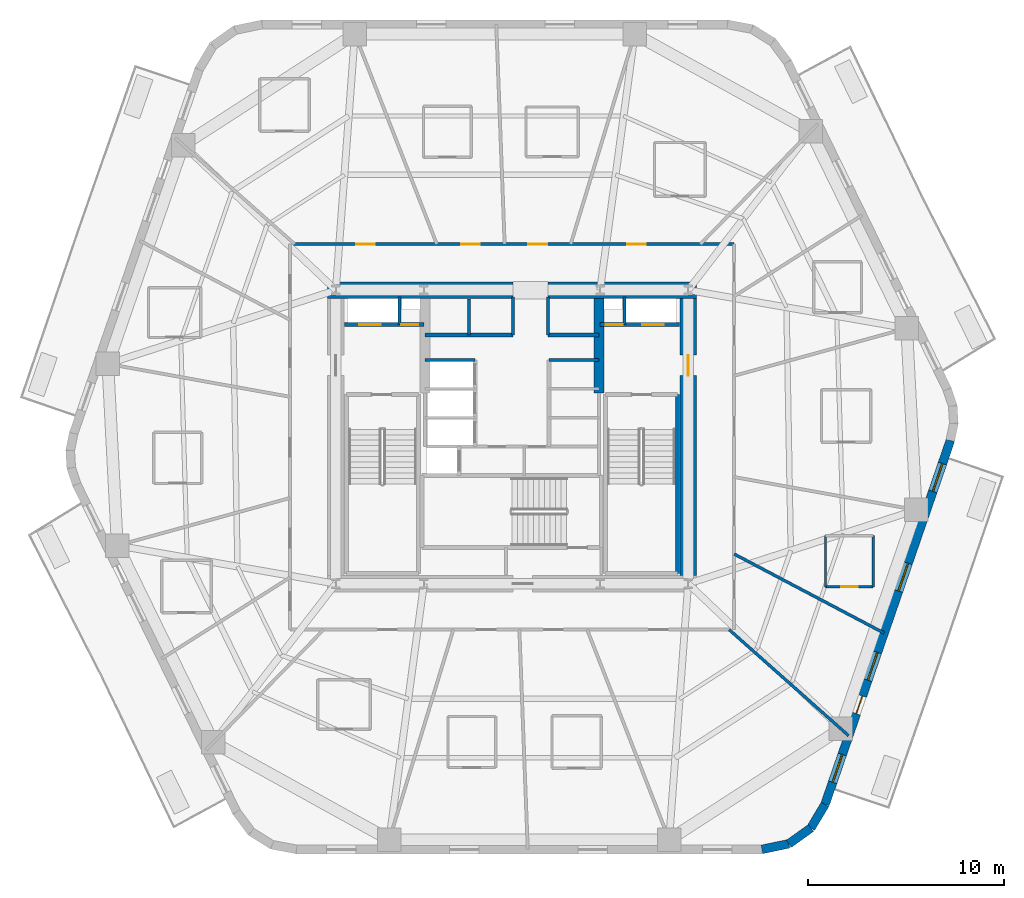
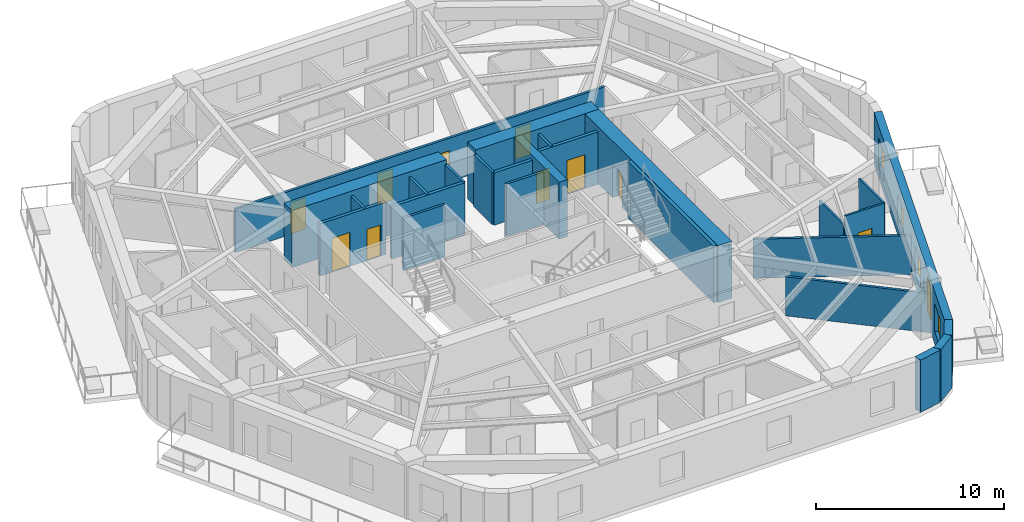
# One storey, part 5 of 10: 26 walls, 11 doors, 4 windows, 15 openings.
"""IFC4 building model written with IfcOpenShell, lengths in metres."""

from ifc_helpers import new_model, si_unit, direction, frame, frame_2d, origin, place, context, subcontext, project, spatial, rectangle, extrude, material, layer, layer_set, type_object, element, fill, save


model = new_model("IFC4")

# Units and contexts
model_context = context("Model", 3, precision=1e-05, world=origin(), true_north=direction((0.0, 1.0)))
body_context = subcontext(model_context, "Body", "Model", "MODEL_VIEW")
ifc_project = project(units=[si_unit("LENGTHUNIT", "METRE"), si_unit("AREAUNIT", "SQUARE_METRE"), si_unit("VOLUMEUNIT", "CUBIC_METRE"), si_unit("PLANEANGLEUNIT", "RADIAN"), si_unit("MASSUNIT", "GRAM", prefix="KILO")], contexts=[model_context])

# Site, building, storey
site_placement = place(None, origin())
site = spatial("IfcSite", under=ifc_project, at=site_placement, CompositionType="ELEMENT")
building_placement = place(site_placement, origin())
building = spatial("IfcBuilding", under=site, at=building_placement, Name="Kilnhurst Terrace Hotel", CompositionType="ELEMENT")
storey_placement = place(building_placement, frame((0.0, 0.0, 117.300048828125)))
storey = spatial("IfcBuildingStorey", under=building, at=storey_placement, Name="L28", CompositionType="ELEMENT", Elevation=117.300048828125)

# Walls
ifc_material_1 = material(Name="Precast concrete C40/50", Category="concrete")
ifc_layer_1 = layer(ifc_material_1, 0.449951171875, Name="Precast concrete C40/50")
ifc_layer_set_1 = layer_set([ifc_layer_1], Name="Precast concrete C40/50")
wall_type_1 = type_object("IfcWallType", Name="WL-BRK-450", PredefinedType="SOLIDWALL", material=ifc_layer_set_1)
wall_1_placement = place(storey_placement, frame((12.7705078125, -21.074951171875, 0.0), z_axis=(0.0, 0.0, 1.0), x_axis=(0.97874281988, 0.205091424819, 0.0)))
element("IfcWall", 1, at=wall_1_placement, inside=storey, type_object=wall_type_1, Name="L28 Rounded Corner Brick Wall C2.1", PredefinedType="SOLIDWALL", context=body_context, shape_type="SweptSolid", body=[
    extrude(rectangle(XDim=1.40576171875, YDim=0.449951171875, at=frame_2d((0.702880859375, 0.0))), origin(), (0.0, 0.0, 1.0), 3.39990234375),
])
wall_2_placement = place(storey_placement, frame((14.146484375, -20.78662109375, 0.0), z_axis=(0.0, 0.0, 1.0), x_axis=(0.814162929117, 0.580636482536, 0.0)))
element("IfcWall", 2, at=wall_2_placement, inside=storey, type_object=wall_type_1, Name="L28 Rounded Corner Brick Wall C2.2", PredefinedType="SOLIDWALL", context=body_context, shape_type="SweptSolid", body=[
    extrude(rectangle(XDim=1.382080078125, YDim=0.449951171875, at=frame_2d((0.69091796875, 0.0))), origin(), (0.0, 0.0, 1.0), 3.39990234375),
])
wall_3_placement = place(storey_placement, frame((15.271728515625, -19.984130859375, 0.0), z_axis=(0.0, 0.0, 1.0), x_axis=(0.512579347361, 0.858639862025, 0.0)))
element("IfcWall", 3, at=wall_3_placement, inside=storey, type_object=wall_type_1, Name="L28 Rounded Corner Brick Wall C2.3", PredefinedType="SOLIDWALL", context=body_context, shape_type="SweptSolid", body=[
    extrude(rectangle(XDim=1.406005859375, YDim=0.449951171875, at=frame_2d((0.703125, 0.0))), origin(), (0.0, 0.0, 1.0), 3.39990234375),
])

# Wall, openings, door, windows
wall_4_placement = place(storey_placement, frame((15.992431640625, -18.77685546875, 0.0), z_axis=(0.0, 0.0, 1.0), x_axis=(0.325606988926, 0.945505202927, 0.0)))
wall_4 = element("IfcWall", 4, at=wall_4_placement, inside=storey, type_object=wall_type_1, Name="L28 Exterior Brick Facade Wall F2", PredefinedType="SOLIDWALL", context=body_context, shape_type="SweptSolid", body=[
    extrude(rectangle(XDim=19.66943359375, YDim=0.449951171875, at=frame_2d((9.834716796875, 0.0))), origin(), (0.0, 0.0, 1.0), 3.39990234375),
])
opening_1_placement = place(wall_4_placement, frame((4.908935546875, 0.0, 0.0)))
opening_1 = element("IfcOpeningElement", 5, at=opening_1_placement, cuts=wall_4, Name="Opening BD-950", PredefinedType="OPENING", context=body_context, shape_type="SweptSolid", body=[
    extrude(rectangle(XDim=0.949951171875, YDim=2.14990234375, at=frame_2d((0.47509765625, 1.074951171875))), frame((0.0, 0.23486328125, 0.0), z_axis=(0.0, -1.0, 0.0), x_axis=(1.0, 0.0, 0.0)), (0.0, 0.0, 1.0), 0.469970703125),
])
opening_2_placement = place(wall_4_placement, frame((1.197021484375, 0.0, 0.800048828125)))
opening_2 = element("IfcOpeningElement", 6, at=opening_2_placement, cuts=wall_4, Name="Opening W-02", PredefinedType="OPENING", context=body_context, shape_type="SweptSolid", body=[
    extrude(rectangle(XDim=1.5, YDim=1.800048828125, at=frame_2d((0.75, 0.89990234375))), frame((0.0, 0.23486328125, 0.0), z_axis=(0.0, -1.0, 0.0), x_axis=(1.0, 0.0, 0.0)), (0.0, 0.0, 1.0), 0.469970703125),
])
opening_3_placement = place(wall_4_placement, frame((6.714111328125, 0.0, 0.800048828125)))
opening_3 = element("IfcOpeningElement", 7, at=opening_3_placement, cuts=wall_4, Name="Opening W-02", PredefinedType="OPENING", context=body_context, shape_type="SweptSolid", body=[
    extrude(rectangle(XDim=1.5, YDim=1.800048828125, at=frame_2d((0.75, 0.89990234375))), frame((0.0, 0.23486328125, 0.0), z_axis=(0.0, -1.0, 0.0), x_axis=(1.0, 0.0, 0.0)), (0.0, 0.0, 1.0), 0.469970703125),
])
opening_4_placement = place(wall_4_placement, frame((11.530029296875, 0.0, 0.800048828125)))
opening_4 = element("IfcOpeningElement", 8, at=opening_4_placement, cuts=wall_4, Name="Opening W-02", PredefinedType="OPENING", context=body_context, shape_type="SweptSolid", body=[
    extrude(rectangle(XDim=1.5, YDim=1.800048828125, at=frame_2d((0.75, 0.89990234375))), frame((0.0, 0.23486328125, 0.0), z_axis=(0.0, -1.0, 0.0), x_axis=(1.0, 0.0, 0.0)), (0.0, 0.0, 1.0), 0.469970703125),
])
opening_5_placement = place(wall_4_placement, frame((16.91796875, 0.0, 0.800048828125)))
opening_5 = element("IfcOpeningElement", 9, at=opening_5_placement, cuts=wall_4, Name="Opening W-02", PredefinedType="OPENING", context=body_context, shape_type="SweptSolid", body=[
    extrude(rectangle(XDim=1.5, YDim=1.800048828125, at=frame_2d((0.75, 0.89990234375))), frame((0.0, 0.23486328125, 0.0), z_axis=(0.0, -1.0, 0.0), x_axis=(1.0, 0.0, 0.0)), (0.0, 0.0, 1.0), 0.469970703125),
])
ifc_material_2 = material(Name="Thermally Broken Bronze Aluminium Alloy 6063-T6 and Laminated Glass", Category="aluminium")
door_type_1 = type_object("IfcDoorType", Name="DR-EXT-BAL-950", OperationType="NOTDEFINED", PredefinedType="DOOR", material=ifc_material_2)
door_1_placement = place(opening_1_placement, origin())
door_1 = element("IfcDoor", 10, at=door_1_placement, inside=storey, type_object=door_type_1, Name="L28 Planted Balcony Door BAL-L1A", OperationType="SINGLE_SWING_RIGHT", OverallHeight=2.14990234375, OverallWidth=0.949951171875, PredefinedType="DOOR", context=body_context, shape_type="SweptSolid", body=[
    extrude(rectangle(XDim=0.949951171875, YDim=2.14990234375, at=frame_2d((0.47509765625, 1.074951171875))), frame((0.0, 0.02490234375, 0.0), z_axis=(0.0, -1.0, 0.0), x_axis=(1.0, 0.0, 0.0)), (0.0, 0.0, 1.0), 0.050048828125),
])
fill(opening_1, door_1)
ifc_material_3 = material(Name="Thermally Broken Bronze Aluminium Alloy 6063-T6 and Low-E Glass", Category="aluminium")
window_type = type_object("IfcWindowType", Name="WIN-1500X1800", PartitioningType="SINGLE_PANEL", PredefinedType="WINDOW", material=ifc_material_3)
window_1_placement = place(opening_2_placement, origin())
window_1 = element("IfcWindow", 11, at=window_1_placement, inside=storey, type_object=window_type, Name="L28 Deep-Set Masonry Window F2.1", OverallHeight=1.800048828125, OverallWidth=1.5, PartitioningType="SINGLE_PANEL", PredefinedType="WINDOW", context=body_context, shape_type="SweptSolid", body=[
    extrude(rectangle(XDim=1.5, YDim=1.800048828125, at=frame_2d((0.75, 0.89990234375))), frame((0.0, 0.030029296875, 0.0), z_axis=(0.0, -1.0, 0.0), x_axis=(1.0, 0.0, 0.0)), (0.0, 0.0, 1.0), 0.06005859375),
])
fill(opening_2, window_1)
window_2_placement = place(opening_3_placement, origin())
window_2 = element("IfcWindow", 12, at=window_2_placement, inside=storey, type_object=window_type, Name="L28 Deep-Set Masonry Window F2.2", OverallHeight=1.800048828125, OverallWidth=1.5, PartitioningType="SINGLE_PANEL", PredefinedType="WINDOW", context=body_context, shape_type="SweptSolid", body=[
    extrude(rectangle(XDim=1.5, YDim=1.800048828125, at=frame_2d((0.75, 0.89990234375))), frame((0.0, 0.030029296875, 0.0), z_axis=(0.0, -1.0, 0.0), x_axis=(1.0, 0.0, 0.0)), (0.0, 0.0, 1.0), 0.06005859375),
])
fill(opening_3, window_2)
window_3_placement = place(opening_4_placement, origin())
window_3 = element("IfcWindow", 13, at=window_3_placement, inside=storey, type_object=window_type, Name="L28 Deep-Set Masonry Window F2.3", OverallHeight=1.800048828125, OverallWidth=1.5, PartitioningType="SINGLE_PANEL", PredefinedType="WINDOW", context=body_context, shape_type="SweptSolid", body=[
    extrude(rectangle(XDim=1.5, YDim=1.800048828125, at=frame_2d((0.75, 0.89990234375))), frame((0.0, 0.030029296875, 0.0), z_axis=(0.0, -1.0, 0.0), x_axis=(1.0, 0.0, 0.0)), (0.0, 0.0, 1.0), 0.06005859375),
])
fill(opening_4, window_3)
window_4_placement = place(opening_5_placement, origin())
window_4 = element("IfcWindow", 14, at=window_4_placement, inside=storey, type_object=window_type, Name="L28 Deep-Set Masonry Window F2.4", OverallHeight=1.800048828125, OverallWidth=1.5, PartitioningType="SINGLE_PANEL", PredefinedType="WINDOW", context=body_context, shape_type="SweptSolid", body=[
    extrude(rectangle(XDim=1.5, YDim=1.800048828125, at=frame_2d((0.75, 0.89990234375))), frame((0.0, 0.030029296875, 0.0), z_axis=(0.0, -1.0, 0.0), x_axis=(1.0, 0.0, 0.0)), (0.0, 0.0, 1.0), 0.06005859375),
])
fill(opening_5, window_4)

# Wall, openings, doors
ifc_material_4 = material(Name="Acoustic Double-Gypsum Corridor Partition Assembly")
ifc_layer_2 = layer(ifc_material_4, 0.14990234375, Name="Acoustic Double-Gypsum Corridor Partition Assembly")
ifc_layer_set_2 = layer_set([ifc_layer_2], Name="Acoustic Double-Gypsum Corridor Partition Assembly")
wall_type_2 = type_object("IfcWallType", Name="WL-COR-150", PredefinedType="PARTITIONING", material=ifc_layer_set_2)
wall_5_placement = place(storey_placement, frame((-11.35009765625, 9.85009765625, 0.0), z_axis=(0.0, 0.0, 1.0), x_axis=(1.0, 0.0, 0.0)))
wall_5 = element("IfcWall", 15, at=wall_5_placement, inside=storey, type_object=wall_type_2, Name="L28 Interior Wall WL-L28-COR-02", PredefinedType="PARTITIONING", context=body_context, shape_type="SweptSolid", body=[
    extrude(rectangle(XDim=22.7001953125, YDim=0.14990234375, at=frame_2d((11.35009765625, 0.0))), origin(), (0.0, 0.0, 1.0), 2.83984375),
])
opening_6_placement = place(wall_5_placement, frame((17.237060546875, 0.0, 0.0)))
opening_6 = element("IfcOpeningElement", 16, at=opening_6_placement, cuts=wall_5, Name="Opening D-60B", PredefinedType="OPENING", context=body_context, shape_type="SweptSolid", body=[
    extrude(rectangle(XDim=0.949951171875, YDim=2.030029296875, at=frame_2d((0.47509765625, 1.01513671875))), frame((0.0, 0.0849609375, 0.0), z_axis=(0.0, -1.0, 0.0), x_axis=(1.0, 0.0, 0.0)), (0.0, 0.0, 1.0), 0.169921875),
])
opening_7_placement = place(wall_5_placement, frame((12.19189453125, 0.0, 0.0)))
opening_7 = element("IfcOpeningElement", 17, at=opening_7_placement, cuts=wall_5, Name="Opening D-60B", PredefinedType="OPENING", context=body_context, shape_type="SweptSolid", body=[
    extrude(rectangle(XDim=0.949951171875, YDim=2.030029296875, at=frame_2d((0.47509765625, 1.01513671875))), frame((0.0, 0.0849609375, 0.0), z_axis=(0.0, -1.0, 0.0), x_axis=(1.0, 0.0, 0.0)), (0.0, 0.0, 1.0), 0.169921875),
])
opening_8_placement = place(wall_5_placement, frame((8.757080078125, 0.0, 0.0)))
opening_8 = element("IfcOpeningElement", 18, at=opening_8_placement, cuts=wall_5, Name="Opening D-60B", PredefinedType="OPENING", context=body_context, shape_type="SweptSolid", body=[
    extrude(rectangle(XDim=0.949951171875, YDim=2.030029296875, at=frame_2d((0.47509765625, 1.01513671875))), frame((0.0, 0.0849609375, 0.0), z_axis=(0.0, -1.0, 0.0), x_axis=(1.0, 0.0, 0.0)), (0.0, 0.0, 1.0), 0.169921875),
])
opening_9_placement = place(wall_5_placement, frame((3.39892578125, 0.0, 0.0)))
opening_9 = element("IfcOpeningElement", 19, at=opening_9_placement, cuts=wall_5, Name="Opening D-60B", PredefinedType="OPENING", context=body_context, shape_type="SweptSolid", body=[
    extrude(rectangle(XDim=0.949951171875, YDim=2.030029296875, at=frame_2d((0.47509765625, 1.01513671875))), frame((0.0, 0.0849609375, 0.0), z_axis=(0.0, -1.0, 0.0), x_axis=(1.0, 0.0, 0.0)), (0.0, 0.0, 1.0), 0.169921875),
])
ifc_material_5 = material(Name="Acoustic Walnut Veneer Solid-Core Fire Door")
door_type_2 = type_object("IfcDoorType", Name="DR-FD60-950", OperationType="NOTDEFINED", PredefinedType="DOOR", material=ifc_material_5)
door_2_placement = place(opening_6_placement, origin())
door_2 = element("IfcDoor", 20, at=door_2_placement, inside=storey, type_object=door_type_2, Name="L28 Executive Suite Entry Door 3", OperationType="SINGLE_SWING_LEFT", OverallHeight=2.030029296875, OverallWidth=0.949951171875, PredefinedType="DOOR", context=body_context, shape_type="SweptSolid", body=[
    extrude(rectangle(XDim=0.949951171875, YDim=2.030029296875, at=frame_2d((0.47509765625, 1.01513671875))), frame((0.0, 0.02490234375, 0.0), z_axis=(0.0, -1.0, 0.0), x_axis=(1.0, 0.0, 0.0)), (0.0, 0.0, 1.0), 0.050048828125),
])
fill(opening_6, door_2)
door_3_placement = place(opening_7_placement, origin())
door_3 = element("IfcDoor", 21, at=door_3_placement, inside=storey, type_object=door_type_2, Name="L28 Guest Room Entry Door 4", OperationType="SINGLE_SWING_RIGHT", OverallHeight=2.030029296875, OverallWidth=0.949951171875, PredefinedType="DOOR", context=body_context, shape_type="SweptSolid", body=[
    extrude(rectangle(XDim=0.949951171875, YDim=2.030029296875, at=frame_2d((0.47509765625, 1.01513671875))), frame((0.0, 0.02490234375, 0.0), z_axis=(0.0, -1.0, 0.0), x_axis=(1.0, 0.0, 0.0)), (0.0, 0.0, 1.0), 0.050048828125),
])
fill(opening_7, door_3)
door_4_placement = place(opening_8_placement, origin())
door_4 = element("IfcDoor", 22, at=door_4_placement, inside=storey, type_object=door_type_2, Name="L28 Guest Room Entry Door 5", OperationType="SINGLE_SWING_LEFT", OverallHeight=2.030029296875, OverallWidth=0.949951171875, PredefinedType="DOOR", context=body_context, shape_type="SweptSolid", body=[
    extrude(rectangle(XDim=0.949951171875, YDim=2.030029296875, at=frame_2d((0.47509765625, 1.01513671875))), frame((0.0, 0.02490234375, 0.0), z_axis=(0.0, -1.0, 0.0), x_axis=(1.0, 0.0, 0.0)), (0.0, 0.0, 1.0), 0.050048828125),
])
fill(opening_8, door_4)
door_5_placement = place(opening_9_placement, origin())
door_5 = element("IfcDoor", 23, at=door_5_placement, inside=storey, type_object=door_type_2, Name="L28 Executive Suite Entry Door 6", OperationType="SINGLE_SWING_RIGHT", OverallHeight=2.030029296875, OverallWidth=0.949951171875, PredefinedType="DOOR", context=body_context, shape_type="SweptSolid", body=[
    extrude(rectangle(XDim=0.949951171875, YDim=2.030029296875, at=frame_2d((0.47509765625, 1.01513671875))), frame((0.0, 0.02490234375, 0.0), z_axis=(0.0, -1.0, 0.0), x_axis=(1.0, 0.0, 0.0)), (0.0, 0.0, 1.0), 0.050048828125),
])
fill(opening_9, door_5)

# Walls
ifc_material_6 = material(Name="Concrete C80/95", Category="concrete")
ifc_layer_3 = layer(ifc_material_6, 0.85009765625, Name="Concrete C80/95")
ifc_layer_set_3 = layer_set([ifc_layer_3], Name="Concrete C80/95")
wall_type_3 = type_object("IfcWallType", Name="WL-CORE-850", PredefinedType="SHEAR", material=ifc_layer_set_3)
wall_6_placement = place(storey_placement, frame((-9.425048828125, 7.5, 0.0), z_axis=(0.0, 0.0, 1.0), x_axis=(1.0, 0.0, 0.0)))
element("IfcWall", 24, at=wall_6_placement, inside=storey, type_object=wall_type_3, Name="L28 Core North West Shear Wall", PredefinedType="SHEAR", context=body_context, shape_type="SweptSolid", body=[
    extrude(rectangle(XDim=9.47509765625, YDim=0.85009765625, at=frame_2d((4.737548828125, 0.0))), origin(), (0.0, 0.0, 1.0), 3.699951171875),
])
wall_7_placement = place(storey_placement, frame((1.85009765625, 7.5, 0.0), z_axis=(0.0, 0.0, 1.0), x_axis=(1.0, 0.0, 0.0)))
element("IfcWall", 25, at=wall_7_placement, inside=storey, type_object=wall_type_3, Name="L28 Core North East Shear Wall", PredefinedType="SHEAR", context=body_context, shape_type="SweptSolid", body=[
    extrude(rectangle(XDim=7.574951171875, YDim=0.85009765625, at=frame_2d((3.78759765625, 0.0))), origin(), (0.0, 0.0, 1.0), 3.699951171875),
])

# Wall, opening, door
wall_8_placement = place(storey_placement, frame((9.0, -7.074951171875, 0.0), z_axis=(0.0, 0.0, 1.0), x_axis=(0.0, 1.0, 0.0)))
wall_8 = element("IfcWall", 26, at=wall_8_placement, inside=storey, type_object=wall_type_3, Name="L28 Core East Shear Wall", PredefinedType="SHEAR", context=body_context, shape_type="SweptSolid", body=[
    extrude(rectangle(XDim=14.14990234375, YDim=0.85009765625, at=frame_2d((7.074951171875, 0.0))), origin(), (0.0, 0.0, 1.0), 3.699951171875),
])
opening_10_placement = place(wall_8_placement, frame((10.199951171875, 0.0, 0.0)))
opening_10 = element("IfcOpeningElement", 27, at=opening_10_placement, cuts=wall_8, Name="Opening D-90A", PredefinedType="OPENING", context=body_context, shape_type="SweptSolid", body=[
    extrude(rectangle(XDim=1.050048828125, YDim=2.14990234375, at=frame_2d((0.52490234375, 1.074951171875))), frame((0.0, 0.43505859375, 0.0), z_axis=(0.0, -1.0, 0.0), x_axis=(1.0, 0.0, 0.0)), (0.0, 0.0, 1.0), 0.8701171875),
])
ifc_material_7 = material(Name="Painted Hollow Metal Steel ASTM A36 Fire Door", Category="steel")
door_type_3 = type_object("IfcDoorType", Name="DR-FD90-1050", OperationType="NOTDEFINED", PredefinedType="DOOR", material=ifc_material_7)
door_6_placement = place(opening_10_placement, origin())
door_6 = element("IfcDoor", 28, at=door_6_placement, inside=storey, type_object=door_type_3, Name="L28 East Firefighting Lobby Door", OperationType="SINGLE_SWING_LEFT", OverallHeight=2.14990234375, OverallWidth=1.050048828125, PredefinedType="DOOR", context=body_context, shape_type="SweptSolid", body=[
    extrude(rectangle(XDim=1.050048828125, YDim=2.14990234375, at=frame_2d((0.52490234375, 1.074951171875))), frame((0.0, 0.02490234375, 0.0), z_axis=(0.0, -1.0, 0.0), x_axis=(1.0, 0.0, 0.0)), (0.0, 0.0, 1.0), 0.050048828125),
])
fill(opening_10, door_6)

# Walls
ifc_material_8 = material(Name="Concrete C60/75", Category="concrete")
ifc_layer_4 = layer(ifc_material_8, 0.5, Name="Concrete C60/75")
ifc_layer_set_4 = layer_set([ifc_layer_4], Name="Concrete C60/75")
wall_type_4 = type_object("IfcWallType", Name="WL-CORE-WEB-500", PredefinedType="SHEAR", material=ifc_layer_set_4)
wall_9_placement = place(storey_placement, frame((4.449951171875, 2.25, 0.0), z_axis=(0.0, 0.0, 1.0), x_axis=(0.0, 1.0, 0.0)))
element("IfcWall", 29, at=wall_9_placement, inside=storey, type_object=wall_type_4, Name="L28 Core Internal East Shear Web", PredefinedType="SHEAR", context=body_context, shape_type="SweptSolid", body=[
    extrude(rectangle(XDim=4.824951171875, YDim=0.5, at=frame_2d((2.41259765625, 0.0))), origin(), (0.0, 0.0, 1.0), 3.699951171875),
])
ifc_material_9 = material(Name="STC-58 Acoustic Twin-Frame Guestroom Demising Partition")
ifc_layer_5 = layer(ifc_material_9, 0.14990234375, Name="STC-58 Acoustic Twin-Frame Guestroom Demising Partition")
ifc_layer_set_5 = layer_set([ifc_layer_5], Name="STC-58 Acoustic Twin-Frame Guestroom Demising Partition")
wall_type_5 = type_object("IfcWallType", Name="WL-DEM-150", PredefinedType="PARTITIONING", material=ifc_layer_set_5)
wall_10_placement = place(storey_placement, frame((11.097900390625, -9.85009765625, 0.0), z_axis=(0.0, 0.0, 1.0), x_axis=(0.747904295103, -0.663806572253, 0.0)))
element("IfcWall", 30, at=wall_10_placement, inside=storey, type_object=wall_type_5, Name="L28 Interior Wall WL-L28-DEM-COL11-16-1", PredefinedType="PARTITIONING", context=body_context, shape_type="SweptSolid", body=[
    extrude(rectangle(XDim=8.160400390625, YDim=0.14990234375, at=frame_2d((4.080078125, 0.0))), origin(), (0.0, 0.0, 1.0), 2.5400390625),
])
wall_11_placement = place(storey_placement, frame((11.35009765625, -5.9833984375, 0.0), z_axis=(0.0, 0.0, 1.0), x_axis=(0.884597447182, -0.466355397137, 0.0)))
element("IfcWall", 31, at=wall_11_placement, inside=storey, type_object=wall_type_5, Name="L28 Interior Wall WL-L28-DEM-MID11-17-1", PredefinedType="PARTITIONING", context=body_context, shape_type="SweptSolid", body=[
    extrude(rectangle(XDim=8.65673828125, YDim=0.14990234375, at=frame_2d((4.328369140625, 0.0))), origin(), (0.0, 0.0, 1.0), 2.5400390625),
])

# Wall, opening, door
ifc_material_10 = material(Name="120 mm Moisture-Resistant Tile-Backed Bathroom Partition")
ifc_layer_6 = layer(ifc_material_10, 0.1201171875, Name="120 mm Moisture-Resistant Tile-Backed Bathroom Partition")
ifc_layer_set_6 = layer_set([ifc_layer_6], Name="120 mm Moisture-Resistant Tile-Backed Bathroom Partition")
wall_type_6 = type_object("IfcWallType", Name="WL-PART-120", PredefinedType="PARTITIONING", material=ifc_layer_set_6)
wall_12_placement = place(storey_placement, frame((16.014892578125, -7.656005859375, 0.0), z_axis=(0.0, 0.0, 1.0), x_axis=(1.0, 0.0, 0.0)))
wall_12 = element("IfcWall", 32, at=wall_12_placement, inside=storey, type_object=wall_type_6, Name="L28 Interior Wall WL-L28-BTH-17-1", PredefinedType="PARTITIONING", context=body_context, shape_type="SweptSolid", body=[
    extrude(rectangle(XDim=2.440185546875, YDim=0.1201171875, at=frame_2d((1.22021484375, 0.0))), origin(), (0.0, 0.0, 1.0), 3.39990234375),
])
opening_11_placement = place(wall_12_placement, frame((0.794921875, 0.0, 0.0)))
opening_11 = element("IfcOpeningElement", 33, at=opening_11_placement, cuts=wall_12, Name="Opening D-08A", PredefinedType="OPENING", context=body_context, shape_type="SweptSolid", body=[
    extrude(rectangle(XDim=0.85009765625, YDim=2.030029296875, at=frame_2d((0.425048828125, 1.01513671875))), frame((0.0, 0.070068359375, 0.0), z_axis=(0.0, -1.0, 0.0), x_axis=(1.0, 0.0, 0.0)), (0.0, 0.0, 1.0), 0.14013671875),
])
ifc_material_11 = material(Name="Moisture-Resistant Lacquered En-suite Bathroom Door")
door_type_4 = type_object("IfcDoorType", Name="DR-INT-850", OperationType="NOTDEFINED", PredefinedType="DOOR", material=ifc_material_11)
door_7_placement = place(opening_11_placement, origin())
door_7 = element("IfcDoor", 34, at=door_7_placement, inside=storey, type_object=door_type_4, Name="L28 En-suite Bathroom Door 17", OperationType="SINGLE_SWING_RIGHT", OverallHeight=2.030029296875, OverallWidth=0.85009765625, PredefinedType="DOOR", context=body_context, shape_type="SweptSolid", body=[
    extrude(rectangle(XDim=0.85009765625, YDim=2.030029296875, at=frame_2d((0.425048828125, 1.01513671875))), frame((0.0, 0.02490234375, 0.0), z_axis=(0.0, -1.0, 0.0), x_axis=(1.0, 0.0, 0.0)), (0.0, 0.0, 1.0), 0.050048828125),
])
fill(opening_11, door_7)

# Walls
wall_13_placement = place(storey_placement, frame((18.455078125, -7.656005859375, 0.0), z_axis=(0.0, 0.0, 1.0), x_axis=(0.0, 1.0, 0.0)))
element("IfcWall", 35, at=wall_13_placement, inside=storey, type_object=wall_type_6, Name="L28 Interior Wall WL-L28-BTH-17-2", PredefinedType="PARTITIONING", context=body_context, shape_type="SweptSolid", body=[
    extrude(rectangle(XDim=2.610107421875, YDim=0.1201171875, at=frame_2d((1.30517578125, 0.0))), origin(), (0.0, 0.0, 1.0), 3.39990234375),
])
wall_14_placement = place(storey_placement, frame((16.014892578125, -5.0458984375, 0.0), z_axis=(0.0, 0.0, 1.0), x_axis=(0.0, -1.0, 0.0)))
element("IfcWall", 36, at=wall_14_placement, inside=storey, type_object=wall_type_6, Name="L28 Interior Wall WL-L28-BTH-17-4", PredefinedType="PARTITIONING", context=body_context, shape_type="SweptSolid", body=[
    extrude(rectangle(XDim=2.610107421875, YDim=0.1201171875, at=frame_2d((1.30517578125, 0.0))), origin(), (0.0, 0.0, 1.0), 2.83984375),
])
ifc_material_12 = material(Name="Fire-Rated Gypsum Shaftliner Assembly")
ifc_layer_7 = layer(ifc_material_12, 0.14990234375, Name="Fire-Rated Gypsum Shaftliner Assembly")
ifc_layer_set_7 = layer_set([ifc_layer_7], Name="Fire-Rated Gypsum Shaftliner Assembly")
wall_type_7 = type_object("IfcWallType", Name="WL-SHAFT-150", PredefinedType="PARTITIONING", material=ifc_layer_set_7)
for number, where, z_axis, x_axis, name in (
    (37, (-5.75, 5.739990234375, 0.0), (0.0, 0.0, 1.0), (0.0, 1.0, 0.0), "L28 Interior Wall WL-L28-RIS1-DIV"),
    (38, (5.75, 5.739990234375, 0.0), (0.0, 0.0, 1.0), (0.0, 1.0, 0.0), "L28 Interior Wall WL-L28-RIS2-DIV"),
):
    element("IfcWall", number, at=place(storey_placement, frame(where, z_axis=z_axis, x_axis=x_axis)), inside=storey, type_object=wall_type_7, Name=name, PredefinedType="PARTITIONING", context=body_context, shape_type="SweptSolid", body=[
        extrude(rectangle(XDim=1.409912109375, YDim=0.14990234375, at=frame_2d((0.705078125, 0.0))), origin(), (0.0, 0.0, 1.0), 3.39990234375),
    ])
wall_15_placement = place(storey_placement, frame((-2.199951171875, 5.199951171875, 0.0), z_axis=(0.0, 0.0, 1.0), x_axis=(0.0, 1.0, 0.0)))
element("IfcWall", 39, at=wall_15_placement, inside=storey, type_object=wall_type_7, Name="L28 Interior Wall WL-L28-HR-DIV1", PredefinedType="PARTITIONING", context=body_context, shape_type="SweptSolid", body=[
    extrude(rectangle(XDim=1.85009765625, YDim=0.14990234375, at=frame_2d((0.925048828125, 0.0))), origin(), (0.0, 0.0, 1.0), 3.39990234375),
])
for number, where, z_axis, x_axis, name in (
    (40, (0.050048828125, 5.199951171875, 0.0), (0.0, 0.0, 1.0), (0.0, 1.0, 0.0), "L28 Interior Wall WL-L28-HR-PORTAL-W"),
    (41, (1.85009765625, 5.199951171875, 0.0), (0.0, 0.0, 1.0), (0.0, 1.0, 0.0), "L28 Interior Wall WL-L28-HR-PORTAL-E"),
):
    element("IfcWall", number, at=place(storey_placement, frame(where, z_axis=z_axis, x_axis=x_axis)), inside=storey, type_object=wall_type_7, Name=name, PredefinedType="PARTITIONING", context=body_context, shape_type="SweptSolid", body=[
        extrude(rectangle(XDim=1.949951171875, YDim=0.14990234375, at=frame_2d((0.97509765625, 0.0))), origin(), (0.0, 0.0, 1.0), 3.39990234375),
    ])
for number, where, z_axis, x_axis, name in (
    (42, (-4.449951171875, 3.93994140625, 0.0), (0.0, 0.0, 1.0), (1.0, 0.0, 0.0), "L28 Interior Wall WL-L28-LR-NORTH"),
    (43, (1.89990234375, 3.93994140625, 0.0), (0.0, 0.0, 1.0), (1.0, 0.0, 0.0), "L28 Interior Wall WL-L28-MR-NORTH"),
):
    element("IfcWall", number, at=place(storey_placement, frame(where, z_axis=z_axis, x_axis=x_axis)), inside=storey, type_object=wall_type_7, Name=name, PredefinedType="PARTITIONING", context=body_context, shape_type="SweptSolid", body=[
        extrude(rectangle(XDim=2.550048828125, YDim=0.14990234375, at=frame_2d((1.27490234375, 0.0))), origin(), (0.0, 0.0, 1.0), 3.39990234375),
    ])

# Wall, openings, doors
ifc_material_13 = material(Name="Autoclaved Aerated Concrete C30/37 and Gypsum Shaft Assembly", Category="concrete")
ifc_layer_8 = layer(ifc_material_13, 0.199951171875, Name="Autoclaved Aerated Concrete C30/37 and Gypsum Shaft Assembly")
ifc_layer_set_8 = layer_set([ifc_layer_8], Name="Autoclaved Aerated Concrete C30/37 and Gypsum Shaft Assembly")
wall_type_8 = type_object("IfcWallType", Name="WL-SHAFT-200", PredefinedType="PARTITIONING", material=ifc_layer_set_8)
wall_16_placement = place(storey_placement, frame((-8.550048828125, 5.739990234375, 0.0), z_axis=(0.0, 0.0, 1.0), x_axis=(1.0, 0.0, 0.0)))
wall_16 = element("IfcWall", 44, at=wall_16_placement, inside=storey, type_object=wall_type_8, Name="L28 Interior Wall WL-L28-FSAE1-S", PredefinedType="PARTITIONING", context=body_context, shape_type="SweptSolid", body=[
    extrude(rectangle(XDim=4.050048828125, YDim=0.199951171875, at=frame_2d((2.02490234375, 0.0))), origin(), (0.0, 0.0, 1.0), 3.39990234375),
])
opening_12_placement = place(wall_16_placement, frame((0.75, 0.0, 0.0)))
opening_12 = element("IfcOpeningElement", 45, at=opening_12_placement, cuts=wall_16, Name="Opening LD-F1", PredefinedType="OPENING", context=body_context, shape_type="SweptSolid", body=[
    extrude(rectangle(XDim=1.10009765625, YDim=2.199951171875, at=frame_2d((0.550048828125, 1.10009765625))), frame((0.0, 0.10986328125, 0.0), z_axis=(0.0, -1.0, 0.0), x_axis=(1.0, 0.0, 0.0)), (0.0, 0.0, 1.0), 0.219970703125),
])
opening_13_placement = place(wall_16_placement, frame((2.89990234375, 0.0, 0.0)))
opening_13 = element("IfcOpeningElement", 46, at=opening_13_placement, cuts=wall_16, Name="Opening D-60D", PredefinedType="OPENING", context=body_context, shape_type="SweptSolid", body=[
    extrude(rectangle(XDim=0.85009765625, YDim=2.030029296875, at=frame_2d((0.425048828125, 1.01513671875))), frame((0.0, 0.10986328125, 0.0), z_axis=(0.0, -1.0, 0.0), x_axis=(1.0, 0.0, 0.0)), (0.0, 0.0, 1.0), 0.219970703125),
])
ifc_material_14 = material(Name="Painted Hollow Metal Steel ASTM A36 Riser Door", Category="steel")
door_type_5 = type_object("IfcDoorType", Name="DR-FD60-850", OperationType="NOTDEFINED", PredefinedType="DOOR", material=ifc_material_14)
door_8_placement = place(opening_13_placement, origin())
door_8 = element("IfcDoor", 47, at=door_8_placement, inside=storey, type_object=door_type_5, Name="L28 Electrical Riser Door", OperationType="SINGLE_SWING_LEFT", OverallHeight=2.030029296875, OverallWidth=0.85009765625, PredefinedType="DOOR", context=body_context, shape_type="SweptSolid", body=[
    extrude(rectangle(XDim=0.85009765625, YDim=2.030029296875, at=frame_2d((0.425048828125, 1.01513671875))), frame((0.0, 0.02490234375, 0.0), z_axis=(0.0, -1.0, 0.0), x_axis=(1.0, 0.0, 0.0)), (0.0, 0.0, 1.0), 0.050048828125),
])
fill(opening_13, door_8)
ifc_material_15 = material(Name="Bronze-Anodized Stainless Steel AISI 316L Sliding Door", Category="steel")
door_type_6 = type_object("IfcDoorType", Name="DR-LIFT-1100", OperationType="NOTDEFINED", PredefinedType="DOOR", material=ifc_material_15)
door_9_placement = place(opening_12_placement, origin())
door_9 = element("IfcDoor", 48, at=door_9_placement, inside=storey, type_object=door_type_6, Name="L28 FSAE-1 Landing Door", OperationType="SLIDING_TO_LEFT", OverallHeight=2.199951171875, OverallWidth=1.10009765625, PredefinedType="DOOR", context=body_context, shape_type="SweptSolid", body=[
    extrude(rectangle(XDim=1.10009765625, YDim=2.199951171875, at=frame_2d((0.550048828125, 1.10009765625))), frame((0.0, 0.02490234375, 0.0), z_axis=(0.0, -1.0, 0.0), x_axis=(1.0, 0.0, 0.0)), (0.0, 0.0, 1.0), 0.050048828125),
])
fill(opening_12, door_9)

wall_17_placement = place(storey_placement, frame((4.5, 5.739990234375, 0.0), z_axis=(0.0, 0.0, 1.0), x_axis=(1.0, 0.0, 0.0)))
wall_17 = element("IfcWall", 49, at=wall_17_placement, inside=storey, type_object=wall_type_8, Name="L28 Interior Wall WL-L28-FSAE2-S", PredefinedType="PARTITIONING", context=body_context, shape_type="SweptSolid", body=[
    extrude(rectangle(XDim=4.050048828125, YDim=0.199951171875, at=frame_2d((2.02490234375, 0.0))), origin(), (0.0, 0.0, 1.0), 3.39990234375),
])
opening_14_placement = place(wall_17_placement, frame((0.300048828125, 0.0, 0.0)))
opening_14 = element("IfcOpeningElement", 50, at=opening_14_placement, cuts=wall_17, Name="Opening D-60D", PredefinedType="OPENING", context=body_context, shape_type="SweptSolid", body=[
    extrude(rectangle(XDim=0.85009765625, YDim=2.030029296875, at=frame_2d((0.425048828125, 1.01513671875))), frame((0.0, 0.10986328125, 0.0), z_axis=(0.0, -1.0, 0.0), x_axis=(1.0, 0.0, 0.0)), (0.0, 0.0, 1.0), 0.219970703125),
])
opening_15_placement = place(wall_17_placement, frame((2.14990234375, 0.0, 0.0)))
opening_15 = element("IfcOpeningElement", 51, at=opening_15_placement, cuts=wall_17, Name="Opening LD-F2", PredefinedType="OPENING", context=body_context, shape_type="SweptSolid", body=[
    extrude(rectangle(XDim=1.10009765625, YDim=2.199951171875, at=frame_2d((0.550048828125, 1.10009765625))), frame((0.0, 0.10986328125, 0.0), z_axis=(0.0, -1.0, 0.0), x_axis=(1.0, 0.0, 0.0)), (0.0, 0.0, 1.0), 0.219970703125),
])
door_10_placement = place(opening_14_placement, origin())
door_10 = element("IfcDoor", 52, at=door_10_placement, inside=storey, type_object=door_type_5, Name="L28 Telecom Riser Door", OperationType="SINGLE_SWING_RIGHT", OverallHeight=2.030029296875, OverallWidth=0.85009765625, PredefinedType="DOOR", context=body_context, shape_type="SweptSolid", body=[
    extrude(rectangle(XDim=0.85009765625, YDim=2.030029296875, at=frame_2d((0.425048828125, 1.01513671875))), frame((0.0, 0.02490234375, 0.0), z_axis=(0.0, -1.0, 0.0), x_axis=(1.0, 0.0, 0.0)), (0.0, 0.0, 1.0), 0.050048828125),
])
fill(opening_14, door_10)
door_11_placement = place(opening_15_placement, origin())
door_11 = element("IfcDoor", 53, at=door_11_placement, inside=storey, type_object=door_type_6, Name="L28 FSAE-2 Landing Door", OperationType="SLIDING_TO_RIGHT", OverallHeight=2.199951171875, OverallWidth=1.10009765625, PredefinedType="DOOR", context=body_context, shape_type="SweptSolid", body=[
    extrude(rectangle(XDim=1.10009765625, YDim=2.199951171875, at=frame_2d((0.550048828125, 1.10009765625))), frame((0.0, 0.02490234375, 0.0), z_axis=(0.0, -1.0, 0.0), x_axis=(1.0, 0.0, 0.0)), (0.0, 0.0, 1.0), 0.050048828125),
])
fill(opening_15, door_11)

# Walls
wall_18_placement = place(storey_placement, frame((-4.449951171875, 5.199951171875, 0.0), z_axis=(0.0, 0.0, 1.0), x_axis=(1.0, 0.0, 0.0)))
element("IfcWall", 54, at=wall_18_placement, inside=storey, type_object=wall_type_8, Name="L28 Interior Wall WL-L28-HR-SW", PredefinedType="PARTITIONING", context=body_context, shape_type="SweptSolid", body=[
    extrude(rectangle(XDim=4.5, YDim=0.199951171875, at=frame_2d((2.25, 0.0))), origin(), (0.0, 0.0, 1.0), 3.39990234375),
])
wall_19_placement = place(storey_placement, frame((1.85009765625, 5.199951171875, 0.0), z_axis=(0.0, 0.0, 1.0), x_axis=(1.0, 0.0, 0.0)))
element("IfcWall", 55, at=wall_19_placement, inside=storey, type_object=wall_type_8, Name="L28 Interior Wall WL-L28-HR-SE", PredefinedType="PARTITIONING", context=body_context, shape_type="SweptSolid", body=[
    extrude(rectangle(XDim=2.599853515625, YDim=0.199951171875, at=frame_2d((1.2998046875, 0.0))), origin(), (0.0, 0.0, 1.0), 3.39990234375),
])
ifc_material_16 = material(Name="Concrete C50/60", Category="concrete")
ifc_layer_9 = layer(ifc_material_16, 0.199951171875, Name="Concrete C50/60")
ifc_layer_set_9 = layer_set([ifc_layer_9], Name="Concrete C50/60")
wall_type_9 = type_object("IfcWallType", Name="WL-STAIR-RC-200", PredefinedType="SHEAR", material=ifc_layer_set_9)
wall_20_placement = place(storey_placement, frame((8.4580078125, -6.985107421875, 0.0), z_axis=(0.0, 0.0, 1.0), x_axis=(0.0, 1.0, 0.0)))
element("IfcWall", 56, at=wall_20_placement, inside=storey, type_object=wall_type_9, Name="L28 Structural Stair Shaft Wall WL-L28-ST2-E", PredefinedType="SHEAR", context=body_context, shape_type="SweptSolid", body=[
    extrude(rectangle(XDim=9.14306640625, YDim=0.199951171875, at=frame_2d((4.571533203125, 0.0))), origin(), (0.0, 0.0, 1.0), 3.699951171875),
])

save(model, "model.ifc")
